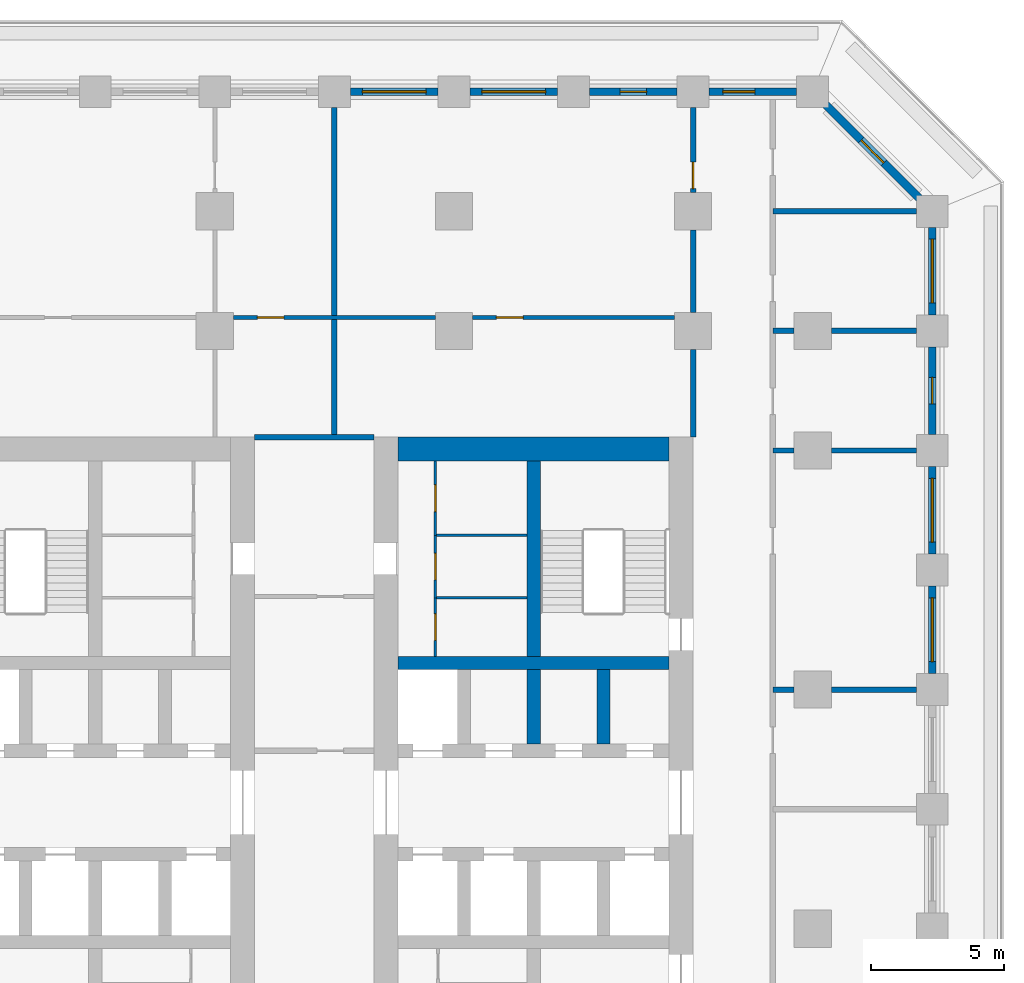
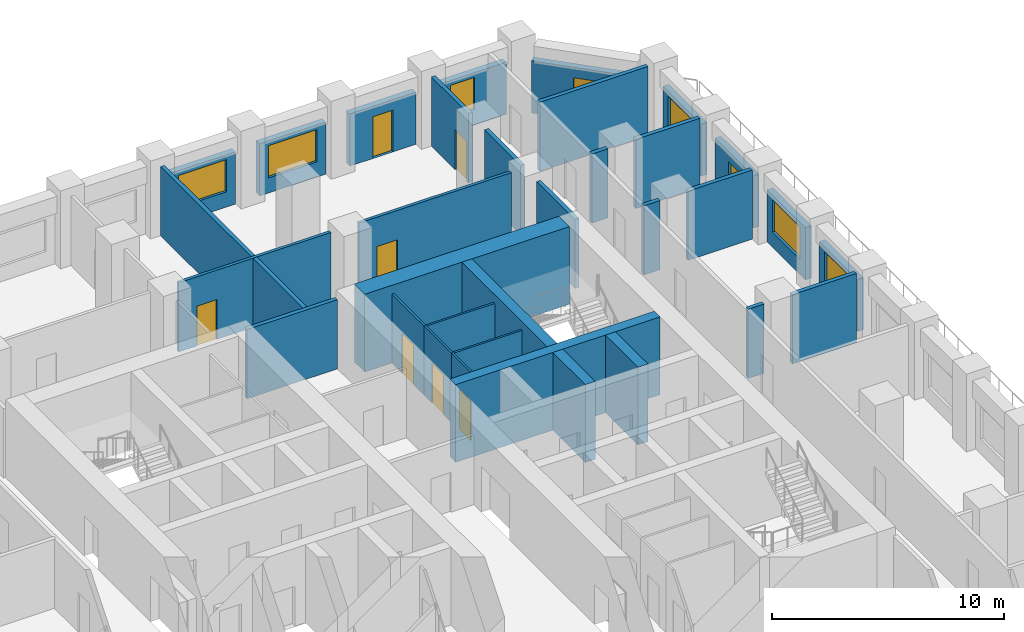
# One storey, part 8 of 17: 33 walls, 9 doors, 6 windows, 15 openings.
"""IFC4 building model written with IfcOpenShell, lengths in metres."""

from ifc_helpers import new_model, si_unit, direction, frame, frame_2d, origin, place, context, subcontext, project, spatial, rectangle, extrude, material, layer, layer_set, type_object, element, fill, save


model = new_model("IFC4")

# Units and contexts
model_context = context("Model", 3, precision=1e-05, world=origin(), true_north=direction((0.0, 1.0)))
body_context = subcontext(model_context, "Body", "Model", "MODEL_VIEW")
ifc_project = project(units=[si_unit("LENGTHUNIT", "METRE"), si_unit("AREAUNIT", "SQUARE_METRE"), si_unit("VOLUMEUNIT", "CUBIC_METRE"), si_unit("PLANEANGLEUNIT", "RADIAN"), si_unit("MASSUNIT", "GRAM", prefix="KILO")], contexts=[model_context])

# Site, building, storey
site_placement = place(None, origin())
site = spatial("IfcSite", under=ifc_project, at=site_placement, CompositionType="ELEMENT")
building_placement = place(site_placement, origin())
building = spatial("IfcBuilding", under=site, at=building_placement, Name="Corbel Stack Research Tower", CompositionType="ELEMENT")
storey_placement = place(building_placement, frame((0.0, 0.0, 129.0)))
storey = spatial("IfcBuildingStorey", under=building, at=storey_placement, Name="L29", CompositionType="ELEMENT", Elevation=129.0)

# Walls
ifc_material_1 = material(Name="Concrete C70/85", Category="concrete")
ifc_layer_1 = layer(ifc_material_1, 0.5)
ifc_layer_set_1 = layer_set([ifc_layer_1], Name="Concrete C70/85")
wall_type_1 = type_object("IfcWallType", Name="CW-500-70", PredefinedType="SHEAR", material=ifc_layer_set_1)
wall_1_placement = place(storey_placement, frame((6.89990234375, 10.0, 0.0), z_axis=(0.0, 0.0, 1.0), x_axis=(1.0, 0.0, 0.0)))
element("IfcWall", 1, at=wall_1_placement, inside=storey, type_object=wall_type_1, Name="East core wall, north row back L29", PredefinedType="SHEAR", context=body_context, shape_type="SweptSolid", body=[
    extrude(rectangle(XDim=10.2001953125, YDim=0.5, at=frame_2d((5.10009765625, 0.0))), origin(), (0.0, 0.0, 1.0), 4.10009765625),
])
for number, where, z_axis, x_axis, name in (
    (2, (12.0, 6.949951171875, 0.0), (0.0, 0.0, 1.0), (0.0, 1.0, 0.0), "East core wall, north shaft 2 L29"),
    (3, (14.625, 6.949951171875, 0.0), (0.0, 0.0, 1.0), (0.0, 1.0, 0.0), "East core wall, north shaft 3 L29"),
):
    element("IfcWall", number, at=place(storey_placement, frame(where, z_axis=z_axis, x_axis=x_axis)), inside=storey, type_object=wall_type_1, Name=name, PredefinedType="SHEAR", context=body_context, shape_type="SweptSolid", body=[
        extrude(rectangle(XDim=2.800048828125, YDim=0.5, at=frame_2d((1.39990234375, 0.0))), origin(), (0.0, 0.0, 1.0), 4.10009765625),
    ])
wall_2_placement = place(storey_placement, frame((12.0, 10.25, 0.0), z_axis=(0.0, 0.0, 1.0), x_axis=(0.0, 1.0, 0.0)))
element("IfcWall", 4, at=wall_2_placement, inside=storey, type_object=wall_type_1, Name="East core wall, north stair and riser L29", PredefinedType="SHEAR", context=body_context, shape_type="SweptSolid", body=[
    extrude(rectangle(XDim=7.35009765625, YDim=0.5, at=frame_2d((3.675048828125, 0.0))), origin(), (0.0, 0.0, 1.0), 4.10009765625),
])
ifc_material_2 = material(Name="Concrete C70/85", Category="concrete")
ifc_layer_2 = layer(ifc_material_2, 0.89990234375)
ifc_layer_set_2 = layer_set([ifc_layer_2], Name="Concrete C70/85")
wall_type_2 = type_object("IfcWallType", Name="CW-900-70", PredefinedType="SHEAR", material=ifc_layer_set_2)
wall_3_placement = place(storey_placement, frame((6.89990234375, 18.050048828125, 0.0), z_axis=(0.0, 0.0, 1.0), x_axis=(1.0, 0.0, 0.0)))
element("IfcWall", 5, at=wall_3_placement, inside=storey, type_object=wall_type_2, Name="East core wall, north end L29", PredefinedType="SHEAR", context=body_context, shape_type="SweptSolid", body=[
    extrude(rectangle(XDim=10.2001953125, YDim=0.89990234375, at=frame_2d((5.10009765625, 0.0))), origin(), (0.0, 0.0, 1.0), 4.10009765625),
])

# Wall, opening, door
ifc_material_3 = material(Name="Gypsum board")
ifc_layer_3 = layer(ifc_material_3, 0.10009765625)
ifc_layer_set_3 = layer_set([ifc_layer_3], Name="Gypsum board")
wall_type_3 = type_object("IfcWallType", Name="Core partition 100", PredefinedType="PARTITIONING", material=ifc_layer_set_3)
wall_4_placement = place(storey_placement, frame((8.300048828125, 10.25, 0.0), z_axis=(0.0, 0.0, 1.0), x_axis=(0.0, 1.0, 0.0)))
wall_4 = element("IfcWall", 6, at=wall_4_placement, inside=storey, type_object=wall_type_3, Name="Core partition E", PredefinedType="PARTITIONING", context=body_context, shape_type="SweptSolid", body=[
    extrude(rectangle(XDim=2.205078125, YDim=0.10009765625, at=frame_2d((1.1025390625, 0.0))), origin(), (0.0, 0.0, 1.0), 3.64990234375),
])
opening_1_placement = place(wall_4_placement, frame((0.6025390625, 0.0, 0.0)))
opening_1 = element("IfcOpeningElement", 7, at=opening_1_placement, cuts=wall_4, Name="Opening CR-E42-R2-1000", PredefinedType="OPENING", context=body_context, shape_type="SweptSolid", body=[
    extrude(rectangle(XDim=1.0, YDim=2.10009765625, at=frame_2d((0.5, 1.050048828125))), frame((0.0, 0.06005859375, 0.0), z_axis=(0.0, -1.0, 0.0), x_axis=(1.0, 0.0, 0.0)), (0.0, 0.0, 1.0), 0.1201171875),
])
ifc_material_4 = material(Name="Painted steel door", Category="steel")
door_type_1 = type_object("IfcDoorType", Name="Riser door 1000 x 2100 FD60 left hand", OperationType="SINGLE_SWING_LEFT", PredefinedType="DOOR", material=ifc_material_4)
door_1_placement = place(opening_1_placement, origin())
door_1 = element("IfcDoor", 8, at=door_1_placement, inside=storey, type_object=door_type_1, Name="Mechanical riser door E core", OperationType="SINGLE_SWING_LEFT", OverallHeight=2.10009765625, OverallWidth=1.0, PredefinedType="DOOR", context=body_context, shape_type="SweptSolid", body=[
    extrude(rectangle(XDim=1.0, YDim=2.10009765625, at=frame_2d((0.5, 1.050048828125))), frame((0.0, 0.02490234375, 0.0), z_axis=(0.0, -1.0, 0.0), x_axis=(1.0, 0.0, 0.0)), (0.0, 0.0, 1.0), 0.050048828125),
])
fill(opening_1, door_1)

wall_5_placement = place(storey_placement, frame((8.300048828125, 12.455078125, 0.0), z_axis=(0.0, 0.0, 1.0), x_axis=(0.0, 1.0, 0.0)))
wall_5 = element("IfcWall", 9, at=wall_5_placement, inside=storey, type_object=wall_type_3, Name="Core partition E", PredefinedType="PARTITIONING", context=body_context, shape_type="SweptSolid", body=[
    extrude(rectangle(XDim=2.351806640625, YDim=0.10009765625, at=frame_2d((1.17578125, 0.0))), origin(), (0.0, 0.0, 1.0), 3.64990234375),
])
opening_2_placement = place(wall_5_placement, frame((0.676025390625, 0.0, 0.0)))
opening_2 = element("IfcOpeningElement", 10, at=opening_2_placement, cuts=wall_5, Name="Opening CR-E42-R3-1000", PredefinedType="OPENING", context=body_context, shape_type="SweptSolid", body=[
    extrude(rectangle(XDim=1.0, YDim=2.10009765625, at=frame_2d((0.5, 1.050048828125))), frame((0.0, 0.06005859375, 0.0), z_axis=(0.0, -1.0, 0.0), x_axis=(1.0, 0.0, 0.0)), (0.0, 0.0, 1.0), 0.1201171875),
])
ifc_material_5 = material(Name="Painted steel door", Category="steel")
door_type_2 = type_object("IfcDoorType", Name="Service door 1000 x 2100 FD30 right hand", OperationType="SINGLE_SWING_RIGHT", PredefinedType="DOOR", material=ifc_material_5)
door_2_placement = place(opening_2_placement, origin())
door_2 = element("IfcDoor", 11, at=door_2_placement, inside=storey, type_object=door_type_2, Name="Pantry door E core", OperationType="SINGLE_SWING_RIGHT", OverallHeight=2.10009765625, OverallWidth=1.0, PredefinedType="DOOR", context=body_context, shape_type="SweptSolid", body=[
    extrude(rectangle(XDim=1.0, YDim=2.10009765625, at=frame_2d((0.5, 1.050048828125))), frame((0.0, 0.02490234375, 0.0), z_axis=(0.0, -1.0, 0.0), x_axis=(1.0, 0.0, 0.0)), (0.0, 0.0, 1.0), 0.050048828125),
])
fill(opening_2, door_2)

wall_6_placement = place(storey_placement, frame((8.300048828125, 14.806884765625, 0.0), z_axis=(0.0, 0.0, 1.0), x_axis=(0.0, 1.0, 0.0)))
wall_6 = element("IfcWall", 12, at=wall_6_placement, inside=storey, type_object=wall_type_3, Name="Core partition E", PredefinedType="PARTITIONING", context=body_context, shape_type="SweptSolid", body=[
    extrude(rectangle(XDim=2.793212890625, YDim=0.10009765625, at=frame_2d((1.396484375, 0.0))), origin(), (0.0, 0.0, 1.0), 3.64990234375),
])
opening_3_placement = place(wall_6_placement, frame((0.896484375, 0.0, 0.0)))
opening_3 = element("IfcOpeningElement", 13, at=opening_3_placement, cuts=wall_6, Name="Opening CR-E42-R4-1000", PredefinedType="OPENING", context=body_context, shape_type="SweptSolid", body=[
    extrude(rectangle(XDim=1.0, YDim=2.10009765625, at=frame_2d((0.5, 1.050048828125))), frame((0.0, 0.06005859375, 0.0), z_axis=(0.0, -1.0, 0.0), x_axis=(1.0, 0.0, 0.0)), (0.0, 0.0, 1.0), 0.1201171875),
])
door_3_placement = place(opening_3_placement, origin())
door_3 = element("IfcDoor", 14, at=door_3_placement, inside=storey, type_object=door_type_1, Name="Electrical riser door E core", OperationType="SINGLE_SWING_LEFT", OverallHeight=2.10009765625, OverallWidth=1.0, PredefinedType="DOOR", context=body_context, shape_type="SweptSolid", body=[
    extrude(rectangle(XDim=1.0, YDim=2.10009765625, at=frame_2d((0.5, 1.050048828125))), frame((0.0, 0.02490234375, 0.0), z_axis=(0.0, -1.0, 0.0), x_axis=(1.0, 0.0, 0.0)), (0.0, 0.0, 1.0), 0.050048828125),
])
fill(opening_3, door_3)

# Walls
for number, where, z_axis, x_axis, name in (
    (15, (8.300048828125, 12.455078125, 0.0), (0.0, 0.0, 1.0), (1.0, 0.0, 0.0), "Core partition E"),
    (16, (8.300048828125, 14.806884765625, 0.0), (0.0, 0.0, 1.0), (1.0, 0.0, 0.0), "Core partition E"),
):
    element("IfcWall", number, at=place(storey_placement, frame(where, z_axis=z_axis, x_axis=x_axis)), inside=storey, type_object=wall_type_3, Name=name, PredefinedType="PARTITIONING", context=body_context, shape_type="SweptSolid", body=[
        extrude(rectangle(XDim=3.449951171875, YDim=0.10009765625, at=frame_2d((1.72509765625, 0.0))), origin(), (0.0, 0.0, 1.0), 3.64990234375),
    ])
ifc_material_6 = material(Name="Fire-rated gypsum board partition on steel studs", Category="steel")
ifc_layer_4 = layer(ifc_material_6, 0.199951171875)
ifc_layer_set_4 = layer_set([ifc_layer_4], Name="Fire-rated gypsum board partition on steel studs")
wall_type_4 = type_object("IfcWallType", Name="Fire-rated partition 200 EI 60", PredefinedType="PARTITIONING", material=ifc_layer_set_4)
wall_7_placement = place(storey_placement, frame((4.5, 18.5, 0.0), z_axis=(0.0, 0.0, 1.0), x_axis=(0.0, 1.0, 0.0)))
element("IfcWall", 17, at=wall_7_placement, inside=storey, type_object=wall_type_4, Name="Partition L29-018", PredefinedType="PARTITIONING", context=body_context, shape_type="SweptSolid", body=[
    extrude(rectangle(XDim=12.39990234375, YDim=0.199951171875, at=frame_2d((6.199951171875, 0.0))), origin(), (0.0, 0.0, 1.0), 3.64990234375),
])
wall_8_placement = place(storey_placement, frame((18.0, 18.5, 0.0), z_axis=(0.0, 0.0, 1.0), x_axis=(0.0, 1.0, 0.0)))
element("IfcWall", 18, at=wall_8_placement, inside=storey, type_object=wall_type_4, Name="Partition L29-021", PredefinedType="PARTITIONING", context=body_context, shape_type="SweptSolid", body=[
    extrude(rectangle(XDim=3.300048828125, YDim=0.199951171875, at=frame_2d((1.64990234375, 0.0))), origin(), (0.0, 0.0, 1.0), 3.64990234375),
])
wall_9_placement = place(storey_placement, frame((18.0, 23.199951171875, 0.0), z_axis=(0.0, 0.0, 1.0), x_axis=(0.0, 1.0, 0.0)))
element("IfcWall", 19, at=wall_9_placement, inside=storey, type_object=wall_type_4, Name="Partition L29-022", PredefinedType="PARTITIONING", context=body_context, shape_type="SweptSolid", body=[
    extrude(rectangle(XDim=3.10009765625, YDim=0.199951171875, at=frame_2d((1.550048828125, 0.0))), origin(), (0.0, 0.0, 1.0), 3.64990234375),
])

# Wall, opening, door
wall_10_placement = place(storey_placement, frame((18.0, 27.699951171875, 0.0), z_axis=(0.0, 0.0, 1.0), x_axis=(0.0, 1.0, 0.0)))
wall_10 = element("IfcWall", 20, at=wall_10_placement, inside=storey, type_object=wall_type_4, Name="Partition L29-023", PredefinedType="PARTITIONING", context=body_context, shape_type="SweptSolid", body=[
    extrude(rectangle(XDim=3.199951171875, YDim=0.199951171875, at=frame_2d((1.60009765625, 0.0))), origin(), (0.0, 0.0, 1.0), 3.64990234375),
])
opening_4_placement = place(wall_10_placement, frame((0.14990234375, 0.0, 0.0)))
opening_4 = element("IfcOpeningElement", 21, at=opening_4_placement, cuts=wall_10, Name="Opening B4V1-027", PredefinedType="OPENING", context=body_context, shape_type="SweptSolid", body=[
    extrude(rectangle(XDim=1.0, YDim=2.10009765625, at=frame_2d((0.5, 1.050048828125))), frame((0.0, 0.10986328125, 0.0), z_axis=(0.0, -1.0, 0.0), x_axis=(1.0, 0.0, 0.0)), (0.0, 0.0, 1.0), 0.219970703125),
])
ifc_material_7 = material(Name="Painted steel fire door", Category="steel")
door_type_3 = type_object("IfcDoorType", Name="Fire door FD30S 1000 x 2100", OperationType="NOTDEFINED", PredefinedType="DOOR", material=ifc_material_7)
door_4_placement = place(opening_4_placement, origin())
door_4 = element("IfcDoor", 22, at=door_4_placement, inside=storey, type_object=door_type_3, Name="Door B4V1-027", OperationType="SINGLE_SWING_LEFT", OverallHeight=2.10009765625, OverallWidth=1.0, PredefinedType="DOOR", context=body_context, shape_type="SweptSolid", body=[
    extrude(rectangle(XDim=1.0, YDim=2.10009765625, at=frame_2d((0.5, 1.050048828125))), frame((0.0, 0.02490234375, 0.0), z_axis=(0.0, -1.0, 0.0), x_axis=(1.0, 0.0, 0.0)), (0.0, 0.0, 1.0), 0.050048828125),
])
fill(opening_4, door_4)

# Walls
wall_11_placement = place(storey_placement, frame((21.0, 9.0, 0.0), z_axis=(0.0, 0.0, 1.0), x_axis=(1.0, 0.0, 0.0)))
element("IfcWall", 23, at=wall_11_placement, inside=storey, type_object=wall_type_4, Name="Partition L29-038", PredefinedType="PARTITIONING", context=body_context, shape_type="SweptSolid", body=[
    extrude(rectangle(XDim=0.800048828125, YDim=0.199951171875, at=frame_2d((0.39990234375, 0.0))), origin(), (0.0, 0.0, 1.0), 3.64990234375),
])
wall_12_placement = place(storey_placement, frame((23.199951171875, 9.0, 0.0), z_axis=(0.0, 0.0, 1.0), x_axis=(1.0, 0.0, 0.0)))
element("IfcWall", 24, at=wall_12_placement, inside=storey, type_object=wall_type_4, Name="Partition L29-039", PredefinedType="PARTITIONING", context=body_context, shape_type="SweptSolid", body=[
    extrude(rectangle(XDim=3.199951171875, YDim=0.199951171875, at=frame_2d((1.60009765625, 0.0))), origin(), (0.0, 0.0, 1.0), 3.64990234375),
])
wall_13_placement = place(storey_placement, frame((21.0, 18.0, 0.0), z_axis=(0.0, 0.0, 1.0), x_axis=(1.0, 0.0, 0.0)))
element("IfcWall", 25, at=wall_13_placement, inside=storey, type_object=wall_type_4, Name="Partition L29-043", PredefinedType="PARTITIONING", context=body_context, shape_type="SweptSolid", body=[
    extrude(rectangle(XDim=0.800048828125, YDim=0.199951171875, at=frame_2d((0.39990234375, 0.0))), origin(), (0.0, 0.0, 1.0), 3.64990234375),
])
wall_14_placement = place(storey_placement, frame((23.199951171875, 18.0, 0.0), z_axis=(0.0, 0.0, 1.0), x_axis=(1.0, 0.0, 0.0)))
element("IfcWall", 26, at=wall_14_placement, inside=storey, type_object=wall_type_4, Name="Partition L29-044", PredefinedType="PARTITIONING", context=body_context, shape_type="SweptSolid", body=[
    extrude(rectangle(XDim=3.199951171875, YDim=0.199951171875, at=frame_2d((1.60009765625, 0.0))), origin(), (0.0, 0.0, 1.0), 3.64990234375),
])
wall_15_placement = place(storey_placement, frame((1.5, 18.5, 0.0), z_axis=(0.0, 0.0, 1.0), x_axis=(1.0, 0.0, 0.0)))
element("IfcWall", 27, at=wall_15_placement, inside=storey, type_object=wall_type_4, Name="Partition L29-045", PredefinedType="PARTITIONING", context=body_context, shape_type="SweptSolid", body=[
    extrude(rectangle(XDim=4.5, YDim=0.199951171875, at=frame_2d((2.25, 0.0))), origin(), (0.0, 0.0, 1.0), 3.64990234375),
])
wall_16_placement = place(storey_placement, frame((21.0, 22.5, 0.0), z_axis=(0.0, 0.0, 1.0), x_axis=(1.0, 0.0, 0.0)))
element("IfcWall", 28, at=wall_16_placement, inside=storey, type_object=wall_type_4, Name="Partition L29-048", PredefinedType="PARTITIONING", context=body_context, shape_type="SweptSolid", body=[
    extrude(rectangle(XDim=0.800048828125, YDim=0.199951171875, at=frame_2d((0.39990234375, 0.0))), origin(), (0.0, 0.0, 1.0), 3.64990234375),
])
wall_17_placement = place(storey_placement, frame((23.199951171875, 22.5, 0.0), z_axis=(0.0, 0.0, 1.0), x_axis=(1.0, 0.0, 0.0)))
element("IfcWall", 29, at=wall_17_placement, inside=storey, type_object=wall_type_4, Name="Partition L29-049", PredefinedType="PARTITIONING", context=body_context, shape_type="SweptSolid", body=[
    extrude(rectangle(XDim=3.199951171875, YDim=0.199951171875, at=frame_2d((1.60009765625, 0.0))), origin(), (0.0, 0.0, 1.0), 3.64990234375),
])
wall_18_placement = place(storey_placement, frame((21.0, 27.0, 0.0), z_axis=(0.0, 0.0, 1.0), x_axis=(1.0, 0.0, 0.0)))
element("IfcWall", 30, at=wall_18_placement, inside=storey, type_object=wall_type_4, Name="Partition L29-056", PredefinedType="PARTITIONING", context=body_context, shape_type="SweptSolid", body=[
    extrude(rectangle(XDim=5.39990234375, YDim=0.199951171875, at=frame_2d((2.699951171875, 0.0))), origin(), (0.0, 0.0, 1.0), 3.64990234375),
])

# Wall, opening, door
ifc_material_8 = material(Name="Gypsum board partition on steel studs", Category="steel")
ifc_layer_5 = layer(ifc_material_8, 0.14990234375)
ifc_layer_set_5 = layer_set([ifc_layer_5], Name="Gypsum board partition on steel studs")
wall_type_5 = type_object("IfcWallType", Name="Partition 150", PredefinedType="PARTITIONING", material=ifc_layer_set_5)
wall_19_placement = place(storey_placement, frame((8.300048828125, 23.0, 0.0), z_axis=(0.0, 0.0, 1.0), x_axis=(-1.0, 0.0, 0.0)))
wall_19 = element("IfcWall", 31, at=wall_19_placement, inside=storey, type_object=wall_type_5, Name="Partition L29-052", PredefinedType="PARTITIONING", context=body_context, shape_type="SweptSolid", body=[
    extrude(rectangle(XDim=7.60009765625, YDim=0.14990234375, at=frame_2d((3.800048828125, 0.0))), origin(), (0.0, 0.0, 1.0), 3.64990234375),
])
opening_5_placement = place(wall_19_placement, frame((5.699951171875, 0.0, 0.0)))
opening_5 = element("IfcOpeningElement", 32, at=opening_5_placement, cuts=wall_19, Name="Opening B4V1-037", PredefinedType="OPENING", context=body_context, shape_type="SweptSolid", body=[
    extrude(rectangle(XDim=1.0, YDim=2.10009765625, at=frame_2d((0.5, 1.050048828125))), frame((0.0, 0.0849609375, 0.0), z_axis=(0.0, -1.0, 0.0), x_axis=(1.0, 0.0, 0.0)), (0.0, 0.0, 1.0), 0.169921875),
])
ifc_material_9 = material(Name="Painted timber door", Category="wood")
door_type_4 = type_object("IfcDoorType", Name="Single door 1000 x 2100", OperationType="NOTDEFINED", PredefinedType="DOOR", material=ifc_material_9)
door_5_placement = place(opening_5_placement, origin())
door_5 = element("IfcDoor", 33, at=door_5_placement, inside=storey, type_object=door_type_4, Name="Door B4V1-037", OperationType="SINGLE_SWING_RIGHT", OverallHeight=2.10009765625, OverallWidth=1.0, PredefinedType="DOOR", context=body_context, shape_type="SweptSolid", body=[
    extrude(rectangle(XDim=1.0, YDim=2.10009765625, at=frame_2d((0.5, 1.050048828125))), frame((0.0, 0.02490234375, 0.0), z_axis=(0.0, -1.0, 0.0), x_axis=(1.0, 0.0, 0.0)), (0.0, 0.0, 1.0), 0.050048828125),
])
fill(opening_5, door_5)

wall_20_placement = place(storey_placement, frame((17.300048828125, 23.0, 0.0), z_axis=(0.0, 0.0, 1.0), x_axis=(-1.0, 0.0, 0.0)))
wall_20 = element("IfcWall", 34, at=wall_20_placement, inside=storey, type_object=wall_type_5, Name="Partition L29-053", PredefinedType="PARTITIONING", context=body_context, shape_type="SweptSolid", body=[
    extrude(rectangle(XDim=7.60009765625, YDim=0.14990234375, at=frame_2d((3.800048828125, 0.0))), origin(), (0.0, 0.0, 1.0), 3.64990234375),
])
opening_6_placement = place(wall_20_placement, frame((5.699951171875, 0.0, 0.0)))
opening_6 = element("IfcOpeningElement", 35, at=opening_6_placement, cuts=wall_20, Name="Opening B4V1-038", PredefinedType="OPENING", context=body_context, shape_type="SweptSolid", body=[
    extrude(rectangle(XDim=1.0, YDim=2.10009765625, at=frame_2d((0.5, 1.050048828125))), frame((0.0, 0.0849609375, 0.0), z_axis=(0.0, -1.0, 0.0), x_axis=(1.0, 0.0, 0.0)), (0.0, 0.0, 1.0), 0.169921875),
])
door_6_placement = place(opening_6_placement, origin())
door_6 = element("IfcDoor", 36, at=door_6_placement, inside=storey, type_object=door_type_4, Name="Door B4V1-038", OperationType="SINGLE_SWING_RIGHT", OverallHeight=2.10009765625, OverallWidth=1.0, PredefinedType="DOOR", context=body_context, shape_type="SweptSolid", body=[
    extrude(rectangle(XDim=1.0, YDim=2.10009765625, at=frame_2d((0.5, 1.050048828125))), frame((0.0, 0.02490234375, 0.0), z_axis=(0.0, -1.0, 0.0), x_axis=(1.0, 0.0, 0.0)), (0.0, 0.0, 1.0), 0.050048828125),
])
fill(opening_6, door_6)

# Wall, opening, window
ifc_material_10 = material(Name="Concrete C45/55", Category="concrete")
ifc_layer_6 = layer(ifc_material_10, 0.300048828125)
ifc_layer_set_6 = layer_set([ifc_layer_6], Name="Concrete C45/55")
wall_type_6 = type_object("IfcWallType", Name="Terracotta-faced concrete wall 300", PredefinedType="SOLIDWALL", material=ifc_layer_set_6)
wall_21_placement = place(storey_placement, frame((27.0, 12.89990234375, 0.0), z_axis=(0.0, 0.0, 1.0), x_axis=(0.0, -1.0, 0.0)))
wall_21 = element("IfcWall", 37, at=wall_21_placement, inside=storey, type_object=wall_type_6, Name="Facade wall L29 E07", PredefinedType="SOLIDWALL", context=body_context, shape_type="SweptSolid", body=[
    extrude(rectangle(XDim=3.2998046875, YDim=0.300048828125, at=frame_2d((1.64990234375, 0.0))), origin(), (0.0, 0.0, 1.0), 2.75),
])
opening_7_placement = place(wall_21_placement, frame((0.449951171875, 0.0, 0.800048828125)))
opening_7 = element("IfcOpeningElement", 38, at=opening_7_placement, cuts=wall_21, Name="Opening W1", PredefinedType="OPENING", context=body_context, shape_type="SweptSolid", body=[
    extrude(rectangle(XDim=2.39990234375, YDim=1.699951171875, at=frame_2d((1.199951171875, 0.85009765625))), frame((0.0, 0.159912109375, 0.0), z_axis=(0.0, -1.0, 0.0), x_axis=(1.0, 0.0, 0.0)), (0.0, 0.0, 1.0), 0.320068359375),
])
ifc_material_11 = material(Name="Aluminium frame, clear double glazing", Category="aluminium")
window_type_1 = type_object("IfcWindowType", Name="Window W1 2400 x 1700", PartitioningType="SINGLE_PANEL", PredefinedType="WINDOW", material=ifc_material_11)
window_1_placement = place(opening_7_placement, origin())
window_1 = element("IfcWindow", 39, at=window_1_placement, inside=storey, type_object=window_type_1, Name="Window W1 L29 E07", OverallHeight=1.699951171875, OverallWidth=2.39990234375, PartitioningType="SINGLE_PANEL", PredefinedType="WINDOW", context=body_context, shape_type="SweptSolid", body=[
    extrude(rectangle(XDim=2.39990234375, YDim=1.699951171875, at=frame_2d((1.199951171875, 0.85009765625))), frame((0.0, 0.030029296875, 0.0), z_axis=(0.0, -1.0, 0.0), x_axis=(1.0, 0.0, 0.0)), (0.0, 0.0, 1.0), 0.06005859375),
])
fill(opening_7, window_1)

wall_22_placement = place(storey_placement, frame((27.0, 17.39990234375, 0.0), z_axis=(0.0, 0.0, 1.0), x_axis=(0.0, -1.0, 0.0)))
wall_22 = element("IfcWall", 40, at=wall_22_placement, inside=storey, type_object=wall_type_6, Name="Facade wall L29 E08", PredefinedType="SOLIDWALL", context=body_context, shape_type="SweptSolid", body=[
    extrude(rectangle(XDim=3.2998046875, YDim=0.300048828125, at=frame_2d((1.64990234375, 0.0))), origin(), (0.0, 0.0, 1.0), 2.75),
])
opening_8_placement = place(wall_22_placement, frame((0.449951171875, 0.0, 0.800048828125)))
opening_8 = element("IfcOpeningElement", 41, at=opening_8_placement, cuts=wall_22, Name="Opening W1", PredefinedType="OPENING", context=body_context, shape_type="SweptSolid", body=[
    extrude(rectangle(XDim=2.39990234375, YDim=1.699951171875, at=frame_2d((1.199951171875, 0.85009765625))), frame((0.0, 0.159912109375, 0.0), z_axis=(0.0, -1.0, 0.0), x_axis=(1.0, 0.0, 0.0)), (0.0, 0.0, 1.0), 0.320068359375),
])
window_2_placement = place(opening_8_placement, origin())
window_2 = element("IfcWindow", 42, at=window_2_placement, inside=storey, type_object=window_type_1, Name="Window W1 L29 E08", OverallHeight=1.699951171875, OverallWidth=2.39990234375, PartitioningType="SINGLE_PANEL", PredefinedType="WINDOW", context=body_context, shape_type="SweptSolid", body=[
    extrude(rectangle(XDim=2.39990234375, YDim=1.699951171875, at=frame_2d((1.199951171875, 0.85009765625))), frame((0.0, 0.030029296875, 0.0), z_axis=(0.0, -1.0, 0.0), x_axis=(1.0, 0.0, 0.0)), (0.0, 0.0, 1.0), 0.06005859375),
])
fill(opening_8, window_2)

# Wall, opening, door
wall_23_placement = place(storey_placement, frame((27.0, 21.89990234375, 0.0), z_axis=(0.0, 0.0, 1.0), x_axis=(0.0, -1.0, 0.0)))
wall_23 = element("IfcWall", 43, at=wall_23_placement, inside=storey, type_object=wall_type_6, Name="Facade wall L29 E09", PredefinedType="SOLIDWALL", context=body_context, shape_type="SweptSolid", body=[
    extrude(rectangle(XDim=3.2998046875, YDim=0.300048828125, at=frame_2d((1.64990234375, 0.0))), origin(), (0.0, 0.0, 1.0), 2.75),
])
opening_9_placement = place(wall_23_placement, frame((1.14990234375, 0.0, 0.0)))
opening_9 = element("IfcOpeningElement", 44, at=opening_9_placement, cuts=wall_23, Name="Opening L29-B05", PredefinedType="OPENING", context=body_context, shape_type="SweptSolid", body=[
    extrude(rectangle(XDim=1.0, YDim=2.199951171875, at=frame_2d((0.5, 1.10009765625))), frame((0.0, 0.159912109375, 0.0), z_axis=(0.0, -1.0, 0.0), x_axis=(1.0, 0.0, 0.0)), (0.0, 0.0, 1.0), 0.320068359375),
])
ifc_material_12 = material(Name="Aluminium frame, clear double glazing", Category="aluminium")
door_type_5 = type_object("IfcDoorType", Name="Balcony door BD1 1000 x 2200", OperationType="NOTDEFINED", PredefinedType="DOOR", material=ifc_material_12)
door_7_placement = place(opening_9_placement, origin())
door_7 = element("IfcDoor", 45, at=door_7_placement, inside=storey, type_object=door_type_5, Name="Balcony door L29-B05", OperationType="SINGLE_SWING_RIGHT", OverallHeight=2.199951171875, OverallWidth=1.0, PredefinedType="DOOR", context=body_context, shape_type="SweptSolid", body=[
    extrude(rectangle(XDim=1.0, YDim=2.199951171875, at=frame_2d((0.5, 1.10009765625))), frame((0.0, 0.02490234375, 0.0), z_axis=(0.0, -1.0, 0.0), x_axis=(1.0, 0.0, 0.0)), (0.0, 0.0, 1.0), 0.050048828125),
])
fill(opening_9, door_7)

# Wall, opening, window
wall_24_placement = place(storey_placement, frame((27.0, 26.39990234375, 0.0), z_axis=(0.0, 0.0, 1.0), x_axis=(0.0, -1.0, 0.0)))
wall_24 = element("IfcWall", 46, at=wall_24_placement, inside=storey, type_object=wall_type_6, Name="Facade wall L29 E10", PredefinedType="SOLIDWALL", context=body_context, shape_type="SweptSolid", body=[
    extrude(rectangle(XDim=3.2998046875, YDim=0.300048828125, at=frame_2d((1.64990234375, 0.0))), origin(), (0.0, 0.0, 1.0), 2.75),
])
opening_10_placement = place(wall_24_placement, frame((0.449951171875, 0.0, 0.800048828125)))
opening_10 = element("IfcOpeningElement", 47, at=opening_10_placement, cuts=wall_24, Name="Opening W1", PredefinedType="OPENING", context=body_context, shape_type="SweptSolid", body=[
    extrude(rectangle(XDim=2.39990234375, YDim=1.699951171875, at=frame_2d((1.199951171875, 0.85009765625))), frame((0.0, 0.159912109375, 0.0), z_axis=(0.0, -1.0, 0.0), x_axis=(1.0, 0.0, 0.0)), (0.0, 0.0, 1.0), 0.320068359375),
])
window_3_placement = place(opening_10_placement, origin())
window_3 = element("IfcWindow", 48, at=window_3_placement, inside=storey, type_object=window_type_1, Name="Window W1 L29 E10", OverallHeight=1.699951171875, OverallWidth=2.39990234375, PartitioningType="SINGLE_PANEL", PredefinedType="WINDOW", context=body_context, shape_type="SweptSolid", body=[
    extrude(rectangle(XDim=2.39990234375, YDim=1.699951171875, at=frame_2d((1.199951171875, 0.85009765625))), frame((0.0, 0.030029296875, 0.0), z_axis=(0.0, -1.0, 0.0), x_axis=(1.0, 0.0, 0.0)), (0.0, 0.0, 1.0), 0.06005859375),
])
fill(opening_10, window_3)

# Wall, opening, door
wall_25_placement = place(storey_placement, frame((22.993896484375, 31.006103515625, 0.0), z_axis=(0.0, 0.0, 1.0), x_axis=(0.707106781187, -0.707106781187, 0.0)))
wall_25 = element("IfcWall", 49, at=wall_25_placement, inside=storey, type_object=wall_type_6, Name="Facade wall L29 NE01", PredefinedType="SOLIDWALL", context=body_context, shape_type="SweptSolid", body=[
    extrude(rectangle(XDim=4.967041015625, YDim=0.300048828125, at=frame_2d((2.4833984375, 0.0))), origin(), (0.0, 0.0, 1.0), 2.75),
])
opening_11_placement = place(wall_25_placement, frame((1.883544921875, 0.0, 0.0)))
opening_11 = element("IfcOpeningElement", 50, at=opening_11_placement, cuts=wall_25, Name="Opening L29-B06", PredefinedType="OPENING", context=body_context, shape_type="SweptSolid", body=[
    extrude(rectangle(XDim=1.199951171875, YDim=2.199951171875, at=frame_2d((0.60009765625, 1.10009765625))), frame((0.0, 0.159912109375, 0.0), z_axis=(0.0, -1.0, 0.0), x_axis=(1.0, 0.0, 0.0)), (0.0, 0.0, 1.0), 0.320068359375),
])
ifc_material_13 = material(Name="Aluminium frame, clear double glazing", Category="aluminium")
door_type_6 = type_object("IfcDoorType", Name="Balcony door BD2 1200 x 2200", OperationType="NOTDEFINED", PredefinedType="DOOR", material=ifc_material_13)
door_8_placement = place(opening_11_placement, origin())
door_8 = element("IfcDoor", 51, at=door_8_placement, inside=storey, type_object=door_type_6, Name="Balcony door L29-B06", OperationType="SINGLE_SWING_RIGHT", OverallHeight=2.199951171875, OverallWidth=1.199951171875, PredefinedType="DOOR", context=body_context, shape_type="SweptSolid", body=[
    extrude(rectangle(XDim=1.199951171875, YDim=2.199951171875, at=frame_2d((0.60009765625, 1.10009765625))), frame((0.0, 0.02490234375, 0.0), z_axis=(0.0, -1.0, 0.0), x_axis=(1.0, 0.0, 0.0)), (0.0, 0.0, 1.0), 0.050048828125),
])
fill(opening_11, door_8)

# Wall, opening, window
wall_26_placement = place(storey_placement, frame((18.60009765625, 31.5, 0.0), z_axis=(0.0, 0.0, 1.0), x_axis=(1.0, 0.0, 0.0)))
wall_26 = element("IfcWall", 52, at=wall_26_placement, inside=storey, type_object=wall_type_6, Name="Facade wall L29 N01", PredefinedType="SOLIDWALL", context=body_context, shape_type="SweptSolid", body=[
    extrude(rectangle(XDim=3.2998046875, YDim=0.300048828125, at=frame_2d((1.64990234375, 0.0))), origin(), (0.0, 0.0, 1.0), 2.75),
])
opening_12_placement = place(wall_26_placement, frame((0.52490234375, 0.0, 0.800048828125)))
opening_12 = element("IfcOpeningElement", 53, at=opening_12_placement, cuts=wall_26, Name="Opening W2", PredefinedType="OPENING", context=body_context, shape_type="SweptSolid", body=[
    extrude(rectangle(XDim=1.199951171875, YDim=1.699951171875, at=frame_2d((0.60009765625, 0.85009765625))), frame((0.0, 0.159912109375, 0.0), z_axis=(0.0, -1.0, 0.0), x_axis=(1.0, 0.0, 0.0)), (0.0, 0.0, 1.0), 0.320068359375),
])
ifc_material_14 = material(Name="Aluminium frame, clear double glazing", Category="aluminium")
window_type_2 = type_object("IfcWindowType", Name="Window W2 1200 x 1700", PartitioningType="SINGLE_PANEL", PredefinedType="WINDOW", material=ifc_material_14)
window_4_placement = place(opening_12_placement, origin())
window_4 = element("IfcWindow", 54, at=window_4_placement, inside=storey, type_object=window_type_2, Name="Window W2 L29 N01", OverallHeight=1.699951171875, OverallWidth=1.199951171875, PartitioningType="SINGLE_PANEL", PredefinedType="WINDOW", context=body_context, shape_type="SweptSolid", body=[
    extrude(rectangle(XDim=1.199951171875, YDim=1.699951171875, at=frame_2d((0.60009765625, 0.85009765625))), frame((0.0, 0.030029296875, 0.0), z_axis=(0.0, -1.0, 0.0), x_axis=(1.0, 0.0, 0.0)), (0.0, 0.0, 1.0), 0.06005859375),
])
fill(opening_12, window_4)

# Wall, opening, door
wall_27_placement = place(storey_placement, frame((14.10009765625, 31.5, 0.0), z_axis=(0.0, 0.0, 1.0), x_axis=(1.0, 0.0, 0.0)))
wall_27 = element("IfcWall", 55, at=wall_27_placement, inside=storey, type_object=wall_type_6, Name="Facade wall L29 N02", PredefinedType="SOLIDWALL", context=body_context, shape_type="SweptSolid", body=[
    extrude(rectangle(XDim=3.2998046875, YDim=0.300048828125, at=frame_2d((1.64990234375, 0.0))), origin(), (0.0, 0.0, 1.0), 2.75),
])
opening_13_placement = place(wall_27_placement, frame((1.14990234375, 0.0, 0.0)))
opening_13 = element("IfcOpeningElement", 56, at=opening_13_placement, cuts=wall_27, Name="Opening L29-B07", PredefinedType="OPENING", context=body_context, shape_type="SweptSolid", body=[
    extrude(rectangle(XDim=1.0, YDim=2.199951171875, at=frame_2d((0.5, 1.10009765625))), frame((0.0, 0.159912109375, 0.0), z_axis=(0.0, -1.0, 0.0), x_axis=(1.0, 0.0, 0.0)), (0.0, 0.0, 1.0), 0.320068359375),
])
door_9_placement = place(opening_13_placement, origin())
door_9 = element("IfcDoor", 57, at=door_9_placement, inside=storey, type_object=door_type_5, Name="Balcony door L29-B07", OperationType="SINGLE_SWING_LEFT", OverallHeight=2.199951171875, OverallWidth=1.0, PredefinedType="DOOR", context=body_context, shape_type="SweptSolid", body=[
    extrude(rectangle(XDim=1.0, YDim=2.199951171875, at=frame_2d((0.5, 1.10009765625))), frame((0.0, 0.02490234375, 0.0), z_axis=(0.0, -1.0, 0.0), x_axis=(1.0, 0.0, 0.0)), (0.0, 0.0, 1.0), 0.050048828125),
])
fill(opening_13, door_9)

# Wall, opening, window
wall_28_placement = place(storey_placement, frame((9.60009765625, 31.5, 0.0), z_axis=(0.0, 0.0, 1.0), x_axis=(1.0, 0.0, 0.0)))
wall_28 = element("IfcWall", 58, at=wall_28_placement, inside=storey, type_object=wall_type_6, Name="Facade wall L29 N03", PredefinedType="SOLIDWALL", context=body_context, shape_type="SweptSolid", body=[
    extrude(rectangle(XDim=3.2998046875, YDim=0.300048828125, at=frame_2d((1.64990234375, 0.0))), origin(), (0.0, 0.0, 1.0), 2.75),
])
opening_14_placement = place(wall_28_placement, frame((0.449951171875, 0.0, 0.800048828125)))
opening_14 = element("IfcOpeningElement", 59, at=opening_14_placement, cuts=wall_28, Name="Opening W1", PredefinedType="OPENING", context=body_context, shape_type="SweptSolid", body=[
    extrude(rectangle(XDim=2.39990234375, YDim=1.699951171875, at=frame_2d((1.199951171875, 0.85009765625))), frame((0.0, 0.159912109375, 0.0), z_axis=(0.0, -1.0, 0.0), x_axis=(1.0, 0.0, 0.0)), (0.0, 0.0, 1.0), 0.320068359375),
])
window_5_placement = place(opening_14_placement, origin())
window_5 = element("IfcWindow", 60, at=window_5_placement, inside=storey, type_object=window_type_1, Name="Window W1 L29 N03", OverallHeight=1.699951171875, OverallWidth=2.39990234375, PartitioningType="SINGLE_PANEL", PredefinedType="WINDOW", context=body_context, shape_type="SweptSolid", body=[
    extrude(rectangle(XDim=2.39990234375, YDim=1.699951171875, at=frame_2d((1.199951171875, 0.85009765625))), frame((0.0, 0.030029296875, 0.0), z_axis=(0.0, -1.0, 0.0), x_axis=(1.0, 0.0, 0.0)), (0.0, 0.0, 1.0), 0.06005859375),
])
fill(opening_14, window_5)

wall_29_placement = place(storey_placement, frame((5.10009765625, 31.5, 0.0), z_axis=(0.0, 0.0, 1.0), x_axis=(1.0, 0.0, 0.0)))
wall_29 = element("IfcWall", 61, at=wall_29_placement, inside=storey, type_object=wall_type_6, Name="Facade wall L29 N04", PredefinedType="SOLIDWALL", context=body_context, shape_type="SweptSolid", body=[
    extrude(rectangle(XDim=3.2998046875, YDim=0.300048828125, at=frame_2d((1.64990234375, 0.0))), origin(), (0.0, 0.0, 1.0), 2.75),
])
opening_15_placement = place(wall_29_placement, frame((0.449951171875, 0.0, 0.800048828125)))
opening_15 = element("IfcOpeningElement", 62, at=opening_15_placement, cuts=wall_29, Name="Opening W1", PredefinedType="OPENING", context=body_context, shape_type="SweptSolid", body=[
    extrude(rectangle(XDim=2.39990234375, YDim=1.699951171875, at=frame_2d((1.199951171875, 0.85009765625))), frame((0.0, 0.159912109375, 0.0), z_axis=(0.0, -1.0, 0.0), x_axis=(1.0, 0.0, 0.0)), (0.0, 0.0, 1.0), 0.320068359375),
])
window_6_placement = place(opening_15_placement, origin())
window_6 = element("IfcWindow", 63, at=window_6_placement, inside=storey, type_object=window_type_1, Name="Window W1 L29 N04", OverallHeight=1.699951171875, OverallWidth=2.39990234375, PartitioningType="SINGLE_PANEL", PredefinedType="WINDOW", context=body_context, shape_type="SweptSolid", body=[
    extrude(rectangle(XDim=2.39990234375, YDim=1.699951171875, at=frame_2d((1.199951171875, 0.85009765625))), frame((0.0, 0.030029296875, 0.0), z_axis=(0.0, -1.0, 0.0), x_axis=(1.0, 0.0, 0.0)), (0.0, 0.0, 1.0), 0.06005859375),
])
fill(opening_15, window_6)

save(model, "model.ifc")
